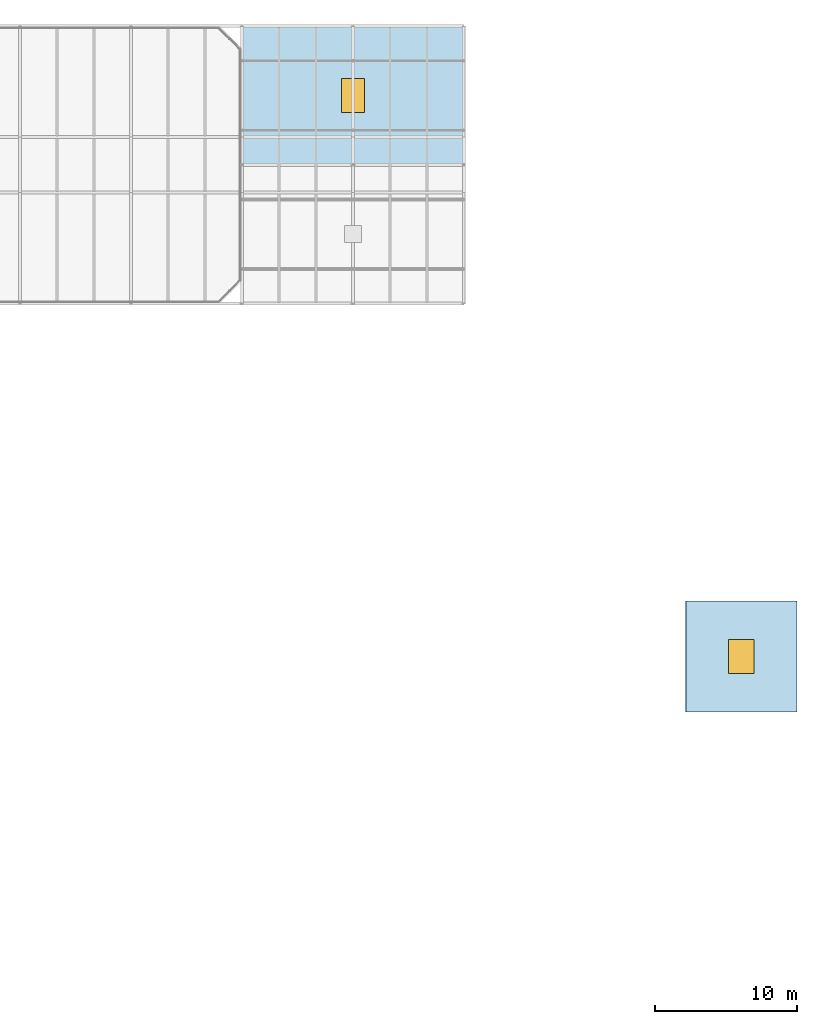
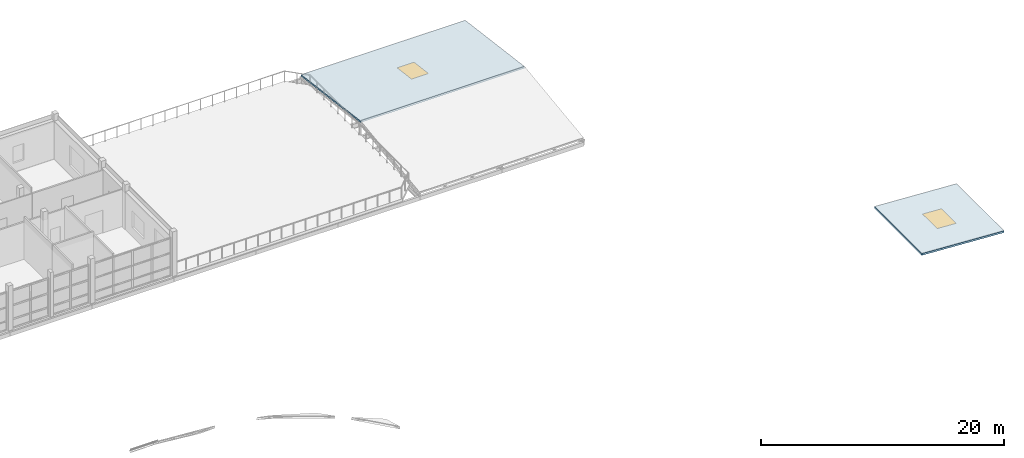
# One storey, part 24 of 45: 2 slabs, 2 windows, 2 openings.
"""IFC4 building model written with IfcOpenShell, lengths in metres."""

from ifc_helpers import new_model, si_unit, direction, frame, origin, origin_2d, place, context, subcontext, project, spatial, polyline, rectangle, outline, extrude, material, layer, layer_set, type_object, element, fill, save


model = new_model("IFC4")

# Units and contexts
model_context = context("Model", 3, precision=1e-05, world=origin(), true_north=direction((0.0, 1.0)))
body_context = subcontext(model_context, "Body", "Model", "MODEL_VIEW")
ifc_project = project(units=[si_unit("LENGTHUNIT", "METRE"), si_unit("AREAUNIT", "SQUARE_METRE"), si_unit("VOLUMEUNIT", "CUBIC_METRE"), si_unit("PLANEANGLEUNIT", "RADIAN"), si_unit("MASSUNIT", "GRAM", prefix="KILO")], contexts=[model_context])

# Site, building, storey
site_placement = place(None, origin())
site = spatial("IfcSite", under=ifc_project, at=site_placement, CompositionType="ELEMENT")
building_placement = place(site_placement, origin())
building = spatial("IfcBuilding", under=site, at=building_placement, Name="Celorna Specialist Clinic", CompositionType="ELEMENT")
storey_placement = place(building_placement, frame((0.0, 0.0, 18.60009765625)))
storey = spatial("IfcBuildingStorey", under=building, at=storey_placement, Name="L04", CompositionType="ELEMENT", Elevation=18.60009765625)

# Slab, opening, window
ifc_material_1 = material(Name="Glulam GL28h insulated roof deck", Category="wood")
ifc_layer_1 = layer(ifc_material_1, 0.179931640625, Name="Glulam GL28h insulated roof deck")
ifc_layer_set_1 = layer_set([ifc_layer_1], Name="Glulam GL28h insulated roof deck")
slab_type_1 = type_object("IfcSlabType", Name="SL-12", PredefinedType="ROOF", material=ifc_layer_set_1)
slab_1_placement = place(storey_placement, frame((148.199951171875, 67.800048828125, 0.404296875), z_axis=(0.05665554264, 0.0, 0.99839378478), x_axis=(0.99839378478, 0.0, -0.05665554264)))
slab_1 = element("IfcSlab", 1, at=slab_1_placement, inside=storey, type_object=slab_type_1, Name="GSH-V3 translational gridshell roof facet 3-2", PredefinedType="ROOF", context=body_context, shape_type="SweptSolid", body=[
    extrude(outline(polyline([(0.0, 0.0), (7.812597541200168, 0.0), (7.812597541200168, 7.800048828125), (0.0, 7.800048828125), (0.0, 0.0)])), origin(), (0.0, 0.0, -1.0), 0.179931640625),
])
opening_1_placement = place(slab_1_placement, frame((3.906494140625, 3.89990234375, 0.010009765625)))
opening_1 = element("IfcOpeningElement", 2, at=opening_1_placement, cuts=slab_1, Name="Opening SK-03", PredefinedType="OPENING", context=body_context, shape_type="SweptSolid", body=[
    extrude(rectangle(XDim=1.800048828125, YDim=2.39990234375, at=origin_2d()), origin(), (0.0, 0.0, -1.0), 0.199951171875),
])
ifc_material_2 = material(Name="Gridshell crown acoustic skylight")
window_type_1 = type_object("IfcWindowType", Name="SK-03", PartitioningType="SINGLE_PANEL", PredefinedType="SKYLIGHT", material=ifc_material_2)
window_1_placement = place(opening_1_placement, frame((0.0, 0.0, -0.010009765625)))
window_1 = element("IfcWindow", 3, at=window_1_placement, inside=storey, type_object=window_type_1, Name="GSH-V3 gridshell skylight 3-2", OverallHeight=2.39990234375, OverallWidth=1.800048828125, PartitioningType="SINGLE_PANEL", PredefinedType="SKYLIGHT", context=body_context, shape_type="SweptSolid", body=[
    extrude(rectangle(XDim=1.800048828125, YDim=2.39990234375, at=origin_2d()), origin(), (0.0, 0.0, -1.0), 0.050048828125),
])
fill(opening_1, window_1)

ifc_material_3 = material(Name="Precast concrete C40/50", Category="concrete")
ifc_layer_2 = layer(ifc_material_3, 0.159912109375, Name="Precast concrete C40/50")
ifc_layer_set_2 = layer_set([ifc_layer_2], Name="Precast concrete C40/50")
slab_type_2 = type_object("IfcSlabType", Name="SL-13", PredefinedType="ROOF", material=ifc_layer_set_2)
slab_2_placement = place(storey_placement, frame((117.0, 106.25, 1.349853515625), z_axis=(0.0, 0.129167216148, 0.991622826619), x_axis=(1.0, 0.0, 0.0)))
slab_2 = element("IfcSlab", 4, at=slab_2_placement, inside=storey, type_object=slab_type_2, Name="Sloped roof slab ROOF-V4-MID-N", PredefinedType="ROOF", context=body_context, shape_type="SweptSolid", body=[
    extrude(outline(polyline([(0.0, 0.0), (15.60009765625, 0.0), (15.60009765625, 9.832367446843941), (0.0, 9.832367446843941), (0.0, 0.0)])), origin(), (0.0, 0.0, -1.0), 0.159912109375),
])
opening_2_placement = place(slab_2_placement, frame((7.800048828125, 4.916259765625, 0.010009765625)))
opening_2 = element("IfcOpeningElement", 5, at=opening_2_placement, cuts=slab_2, Name="Opening SK-02", PredefinedType="OPENING", context=body_context, shape_type="SweptSolid", body=[
    extrude(rectangle(XDim=1.60009765625, YDim=2.39990234375, at=origin_2d()), origin(), (0.0, 0.0, -1.0), 0.179931640625),
])
ifc_material_4 = material(Name="Outpatient atrium skylight lantern")
window_type_2 = type_object("IfcWindowType", Name="SK-02", PartitioningType="SINGLE_PANEL", PredefinedType="SKYLIGHT", material=ifc_material_4)
window_2_placement = place(opening_2_placement, frame((0.0, 0.0, -0.010009765625)))
window_2 = element("IfcWindow", 6, at=window_2_placement, inside=storey, type_object=window_type_2, Name="Roof skylight SK-02 on ROOF-V4-MID-N", OverallHeight=2.39990234375, OverallWidth=1.60009765625, PartitioningType="SINGLE_PANEL", PredefinedType="SKYLIGHT", context=body_context, shape_type="SweptSolid", body=[
    extrude(rectangle(XDim=1.60009765625, YDim=2.39990234375, at=origin_2d()), origin(), (0.0, 0.0, -1.0), 0.050048828125),
])
fill(opening_2, window_2)

save(model, "model.ifc")
